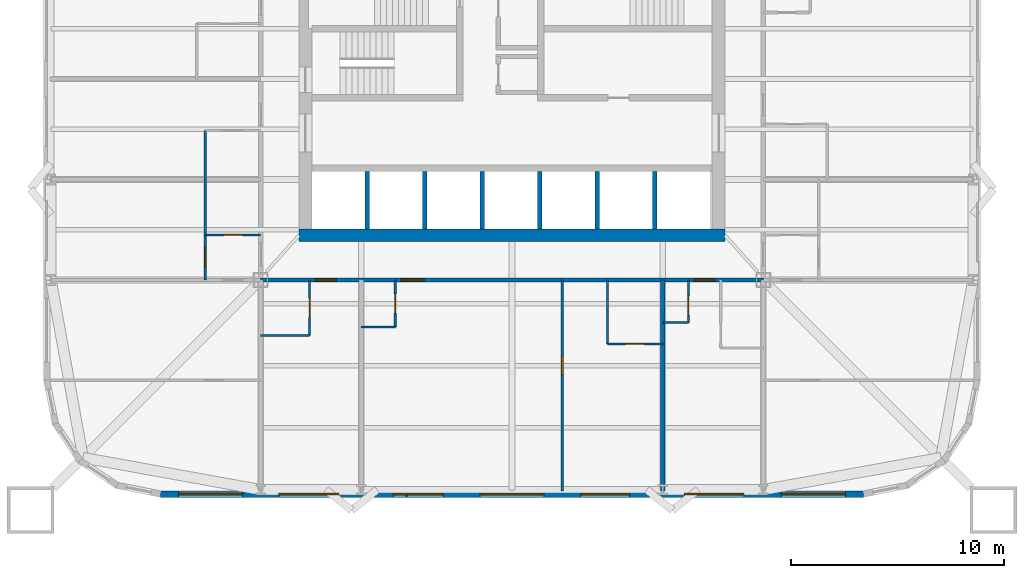
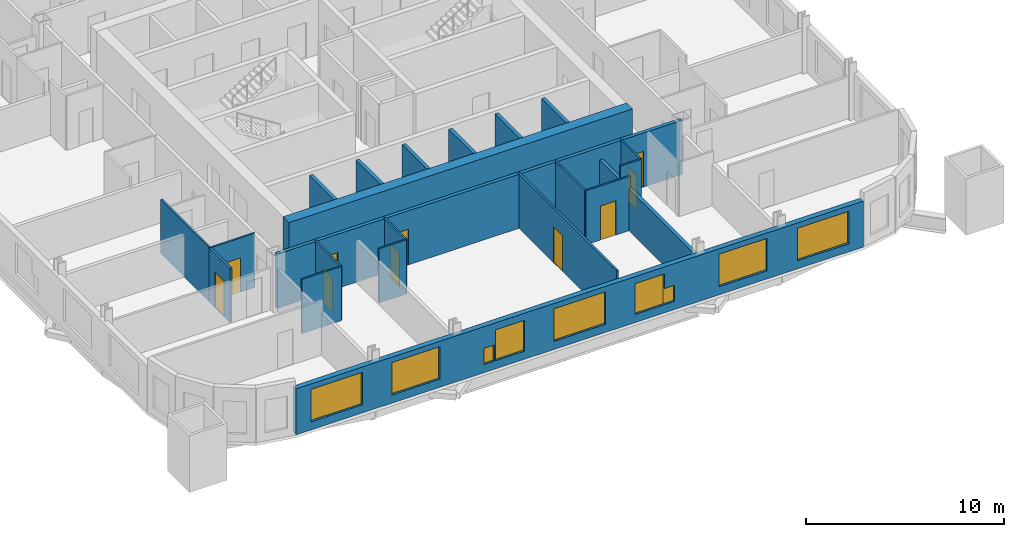
# One storey, part 3 of 10: 22 walls, 10 doors, 9 windows, 19 openings.
"""IFC4 building model written with IfcOpenShell, lengths in metres."""

from ifc_helpers import new_model, si_unit, direction, frame, frame_2d, origin, place, context, subcontext, project, spatial, rectangle, extrude, material, layer, layer_set, type_object, element, fill, save


model = new_model("IFC4")

# Units and contexts
model_context = context("Model", 3, precision=1e-05, world=origin(), true_north=direction((0.0, 1.0)))
body_context = subcontext(model_context, "Body", "Model", "MODEL_VIEW")
ifc_project = project(units=[si_unit("LENGTHUNIT", "METRE"), si_unit("AREAUNIT", "SQUARE_METRE"), si_unit("VOLUMEUNIT", "CUBIC_METRE"), si_unit("PLANEANGLEUNIT", "RADIAN"), si_unit("MASSUNIT", "GRAM", prefix="KILO")], contexts=[model_context])

# Site, building, storey
site_placement = place(None, origin())
site = spatial("IfcSite", under=ifc_project, at=site_placement, CompositionType="ELEMENT")
building_placement = place(site_placement, origin())
building = spatial("IfcBuilding", under=site, at=building_placement, Name="Turquesa Mirador Hotel Tower", CompositionType="ELEMENT")
storey_placement = place(building_placement, frame((0.0, 0.0, 46.0)))
storey = spatial("IfcBuildingStorey", under=building, at=storey_placement, Name="L11", CompositionType="ELEMENT", Elevation=46.0)

# Walls
ifc_material_1 = material(Name="Gypsum board on steel studs", Category="steel")
ifc_layer_1 = layer(ifc_material_1, 0.10009765625)
ifc_layer_set_1 = layer_set([ifc_layer_1], Name="BATHROOM WALL 100")
wall_type_1 = type_object("IfcWallType", Name="BATHROOM WALL 100", PredefinedType="PARTITIONING", material=ifc_layer_set_1)
wall_1_placement = place(storey_placement, frame((62.080078125, 31.199951171875, 0.0), z_axis=(0.0, 0.0, 1.0), x_axis=(1.0, 0.0, 0.0)))
element("IfcWall", 1, at=wall_1_placement, inside=storey, type_object=wall_type_1, Name="Partition L11 004", PredefinedType="PARTITIONING", context=body_context, shape_type="SweptSolid", body=[
    extrude(rectangle(XDim=1.199951171875, YDim=0.10009765625, at=frame_2d((0.60009765625, 0.0))), origin(), (0.0, 0.0, 1.0), 3.330078125),
])
wall_2_placement = place(storey_placement, frame((47.919921875, 31.0, 0.0), z_axis=(0.0, 0.0, 1.0), x_axis=(1.0, 0.0, 0.0)))
element("IfcWall", 2, at=wall_2_placement, inside=storey, type_object=wall_type_1, Name="Partition L11 005", PredefinedType="PARTITIONING", context=body_context, shape_type="SweptSolid", body=[
    extrude(rectangle(XDim=1.60009765625, YDim=0.10009765625, at=frame_2d((0.800048828125, 0.0))), origin(), (0.0, 0.0, 1.0), 3.330078125),
])
wall_3_placement = place(storey_placement, frame((43.199951171875, 30.60009765625, 0.0), z_axis=(0.0, 0.0, 1.0), x_axis=(1.0, 0.0, 0.0)))
element("IfcWall", 3, at=wall_3_placement, inside=storey, type_object=wall_type_1, Name="Partition L11 006", PredefinedType="PARTITIONING", context=body_context, shape_type="SweptSolid", body=[
    extrude(rectangle(XDim=2.300048828125, YDim=0.10009765625, at=frame_2d((1.14990234375, 0.0))), origin(), (0.0, 0.0, 1.0), 3.330078125),
])

# Wall, opening, door
wall_4_placement = place(storey_placement, frame((59.47998046875, 30.199951171875, 0.0), z_axis=(0.0, 0.0, 1.0), x_axis=(1.0, 0.0, 0.0)))
wall_4 = element("IfcWall", 4, at=wall_4_placement, inside=storey, type_object=wall_type_1, Name="Partition L11 007", PredefinedType="PARTITIONING", context=body_context, shape_type="SweptSolid", body=[
    extrude(rectangle(XDim=2.60009765625, YDim=0.10009765625, at=frame_2d((1.300048828125, 0.0))), origin(), (0.0, 0.0, 1.0), 3.330078125),
])
opening_1_placement = place(wall_4_placement, frame((0.85009765625, 0.0, 0.0)))
opening_1 = element("IfcOpeningElement", 5, at=opening_1_placement, cuts=wall_4, Name="Opening D02", PredefinedType="OPENING", context=body_context, shape_type="SweptSolid", body=[
    extrude(rectangle(XDim=0.89990234375, YDim=2.10009765625, at=frame_2d((0.449951171875, 1.050048828125))), frame((0.0, 0.06005859375, 0.0), z_axis=(0.0, -1.0, 0.0), x_axis=(1.0, 0.0, 0.0)), (0.0, 0.0, 1.0), 0.1201171875),
])
ifc_material_2 = material(Name="Timber veneered door", Category="wood")
door_type_1 = type_object("IfcDoorType", Name="DOOR 900X2100 EN-SUITE", OperationType="SINGLE_SWING_RIGHT", PredefinedType="DOOR", material=ifc_material_2)
door_1_placement = place(opening_1_placement, origin())
door_1 = element("IfcDoor", 6, at=door_1_placement, inside=storey, type_object=door_type_1, Name="Door 1104B", OperationType="SINGLE_SWING_RIGHT", OverallHeight=2.10009765625, OverallWidth=0.89990234375, PredefinedType="DOOR", context=body_context, shape_type="SweptSolid", body=[
    extrude(rectangle(XDim=0.89990234375, YDim=2.10009765625, at=frame_2d((0.449951171875, 1.050048828125))), frame((0.0, 0.02490234375, 0.0), z_axis=(0.0, -1.0, 0.0), x_axis=(1.0, 0.0, 0.0)), (0.0, 0.0, 1.0), 0.050048828125),
])
fill(opening_1, door_1)

wall_5_placement = place(storey_placement, frame((40.60009765625, 35.320068359375, 0.0), z_axis=(0.0, 0.0, 1.0), x_axis=(1.0, 0.0, 0.0)))
wall_5 = element("IfcWall", 7, at=wall_5_placement, inside=storey, type_object=wall_type_1, Name="Partition L11 016", PredefinedType="PARTITIONING", context=body_context, shape_type="SweptSolid", body=[
    extrude(rectangle(XDim=2.599853515625, YDim=0.10009765625, at=frame_2d((1.2998046875, 0.0))), origin(), (0.0, 0.0, 1.0), 3.330078125),
])
opening_2_placement = place(wall_5_placement, frame((0.85009765625, 0.0, 0.0)))
opening_2 = element("IfcOpeningElement", 8, at=opening_2_placement, cuts=wall_5, Name="Opening D02", PredefinedType="OPENING", context=body_context, shape_type="SweptSolid", body=[
    extrude(rectangle(XDim=0.89990234375, YDim=2.10009765625, at=frame_2d((0.449951171875, 1.050048828125))), frame((0.0, 0.06005859375, 0.0), z_axis=(0.0, -1.0, 0.0), x_axis=(1.0, 0.0, 0.0)), (0.0, 0.0, 1.0), 0.1201171875),
])
door_2_placement = place(opening_2_placement, origin())
door_2 = element("IfcDoor", 9, at=door_2_placement, inside=storey, type_object=door_type_1, Name="Door 1112B", OperationType="SINGLE_SWING_RIGHT", OverallHeight=2.10009765625, OverallWidth=0.89990234375, PredefinedType="DOOR", context=body_context, shape_type="SweptSolid", body=[
    extrude(rectangle(XDim=0.89990234375, YDim=2.10009765625, at=frame_2d((0.449951171875, 1.050048828125))), frame((0.0, 0.02490234375, 0.0), z_axis=(0.0, -1.0, 0.0), x_axis=(1.0, 0.0, 0.0)), (0.0, 0.0, 1.0), 0.050048828125),
])
fill(opening_2, door_2)

# Wall
wall_6_placement = place(storey_placement, frame((40.60009765625, 35.320068359375, 0.0), z_axis=(0.0, 0.0, 1.0), x_axis=(0.0, 1.0, 0.0)))
element("IfcWall", 10, at=wall_6_placement, inside=storey, type_object=wall_type_1, Name="Partition L11 041", PredefinedType="PARTITIONING", context=body_context, shape_type="SweptSolid", body=[
    extrude(rectangle(XDim=4.89990234375, YDim=0.10009765625, at=frame_2d((2.449951171875, 0.0))), origin(), (0.0, 0.0, 1.0), 3.330078125),
])

# Wall, opening, door
wall_7_placement = place(storey_placement, frame((49.52001953125, 31.0, 0.0), z_axis=(0.0, 0.0, 1.0), x_axis=(0.0, 1.0, 0.0)))
wall_7 = element("IfcWall", 11, at=wall_7_placement, inside=storey, type_object=wall_type_1, Name="Partition L11 048", PredefinedType="PARTITIONING", context=body_context, shape_type="SweptSolid", body=[
    extrude(rectangle(XDim=2.199951171875, YDim=0.10009765625, at=frame_2d((1.10009765625, 0.0))), origin(), (0.0, 0.0, 1.0), 3.330078125),
])
opening_3_placement = place(wall_7_placement, frame((0.64990234375, 0.0, 0.0)))
opening_3 = element("IfcOpeningElement", 12, at=opening_3_placement, cuts=wall_7, Name="Opening D06", PredefinedType="OPENING", context=body_context, shape_type="SweptSolid", body=[
    extrude(rectangle(XDim=0.89990234375, YDim=2.10009765625, at=frame_2d((0.449951171875, 1.050048828125))), frame((0.0, 0.06005859375, 0.0), z_axis=(0.0, -1.0, 0.0), x_axis=(1.0, 0.0, 0.0)), (0.0, 0.0, 1.0), 0.1201171875),
])
ifc_material_3 = material(Name="Laminate door", Category="wood")
door_type_2 = type_object("IfcDoorType", Name="DOOR 900X2100 WC", OperationType="SINGLE_SWING_LEFT", PredefinedType="DOOR", material=ifc_material_3)
door_3_placement = place(opening_3_placement, origin())
door_3 = element("IfcDoor", 13, at=door_3_placement, inside=storey, type_object=door_type_2, Name="Door 1104W", OperationType="SINGLE_SWING_LEFT", OverallHeight=2.10009765625, OverallWidth=0.89990234375, PredefinedType="DOOR", context=body_context, shape_type="SweptSolid", body=[
    extrude(rectangle(XDim=0.89990234375, YDim=2.10009765625, at=frame_2d((0.449951171875, 1.050048828125))), frame((0.0, 0.02490234375, 0.0), z_axis=(0.0, -1.0, 0.0), x_axis=(1.0, 0.0, 0.0)), (0.0, 0.0, 1.0), 0.050048828125),
])
fill(opening_3, door_3)

wall_8_placement = place(storey_placement, frame((45.5, 30.60009765625, 0.0), z_axis=(0.0, 0.0, 1.0), x_axis=(0.0, 1.0, 0.0)))
wall_8 = element("IfcWall", 14, at=wall_8_placement, inside=storey, type_object=wall_type_1, Name="Partition L11 051", PredefinedType="PARTITIONING", context=body_context, shape_type="SweptSolid", body=[
    extrude(rectangle(XDim=2.599853515625, YDim=0.10009765625, at=frame_2d((1.2998046875, 0.0))), origin(), (0.0, 0.0, 1.0), 3.330078125),
])
opening_4_placement = place(wall_8_placement, frame((0.85009765625, 0.0, 0.0)))
opening_4 = element("IfcOpeningElement", 15, at=opening_4_placement, cuts=wall_8, Name="Opening D02", PredefinedType="OPENING", context=body_context, shape_type="SweptSolid", body=[
    extrude(rectangle(XDim=0.89990234375, YDim=2.10009765625, at=frame_2d((0.449951171875, 1.050048828125))), frame((0.0, 0.06005859375, 0.0), z_axis=(0.0, -1.0, 0.0), x_axis=(1.0, 0.0, 0.0)), (0.0, 0.0, 1.0), 0.1201171875),
])
door_4_placement = place(opening_4_placement, origin())
door_4 = element("IfcDoor", 16, at=door_4_placement, inside=storey, type_object=door_type_1, Name="Door 1103B", OperationType="SINGLE_SWING_RIGHT", OverallHeight=2.10009765625, OverallWidth=0.89990234375, PredefinedType="DOOR", context=body_context, shape_type="SweptSolid", body=[
    extrude(rectangle(XDim=0.89990234375, YDim=2.10009765625, at=frame_2d((0.449951171875, 1.050048828125))), frame((0.0, 0.02490234375, 0.0), z_axis=(0.0, -1.0, 0.0), x_axis=(1.0, 0.0, 0.0)), (0.0, 0.0, 1.0), 0.050048828125),
])
fill(opening_4, door_4)

# Wall
wall_9_placement = place(storey_placement, frame((59.47998046875, 30.199951171875, 0.0), z_axis=(0.0, 0.0, 1.0), x_axis=(0.0, 1.0, 0.0)))
element("IfcWall", 17, at=wall_9_placement, inside=storey, type_object=wall_type_1, Name="Partition L11 063", PredefinedType="PARTITIONING", context=body_context, shape_type="SweptSolid", body=[
    extrude(rectangle(XDim=3.0, YDim=0.10009765625, at=frame_2d((1.5, 0.0))), origin(), (0.0, 0.0, 1.0), 3.330078125),
])

# Wall, opening, door
wall_10_placement = place(storey_placement, frame((63.280029296875, 31.199951171875, 0.0), z_axis=(0.0, 0.0, 1.0), x_axis=(0.0, 1.0, 0.0)))
wall_10 = element("IfcWall", 18, at=wall_10_placement, inside=storey, type_object=wall_type_1, Name="Partition L11 066", PredefinedType="PARTITIONING", context=body_context, shape_type="SweptSolid", body=[
    extrude(rectangle(XDim=2.0, YDim=0.10009765625, at=frame_2d((1.0, 0.0))), origin(), (0.0, 0.0, 1.0), 3.330078125),
])
opening_5_placement = place(wall_10_placement, frame((0.35009765625, 0.0, 0.0)))
opening_5 = element("IfcOpeningElement", 19, at=opening_5_placement, cuts=wall_10, Name="Opening D06", PredefinedType="OPENING", context=body_context, shape_type="SweptSolid", body=[
    extrude(rectangle(XDim=0.89990234375, YDim=2.10009765625, at=frame_2d((0.449951171875, 1.050048828125))), frame((0.0, 0.06005859375, 0.0), z_axis=(0.0, -1.0, 0.0), x_axis=(1.0, 0.0, 0.0)), (0.0, 0.0, 1.0), 0.1201171875),
])
door_5_placement = place(opening_5_placement, origin())
door_5 = element("IfcDoor", 20, at=door_5_placement, inside=storey, type_object=door_type_2, Name="Door 1105W", OperationType="SINGLE_SWING_LEFT", OverallHeight=2.10009765625, OverallWidth=0.89990234375, PredefinedType="DOOR", context=body_context, shape_type="SweptSolid", body=[
    extrude(rectangle(XDim=0.89990234375, YDim=2.10009765625, at=frame_2d((0.449951171875, 1.050048828125))), frame((0.0, 0.02490234375, 0.0), z_axis=(0.0, -1.0, 0.0), x_axis=(1.0, 0.0, 0.0)), (0.0, 0.0, 1.0), 0.050048828125),
])
fill(opening_5, door_5)

# Wall
ifc_material_4 = material(Name="Concrete C50/60", Category="concrete")
ifc_layer_2 = layer(ifc_material_4, 0.60009765625)
ifc_layer_set_2 = layer_set([ifc_layer_2], Name="CORE WALL 600")
wall_type_2 = type_object("IfcWallType", Name="CORE WALL 600", PredefinedType="SHEAR", material=ifc_layer_set_2)
wall_11_placement = place(storey_placement, frame((45.0, 35.300048828125, 0.0), z_axis=(0.0, 0.0, 1.0), x_axis=(1.0, 0.0, 0.0)))
element("IfcWall", 21, at=wall_11_placement, inside=storey, type_object=wall_type_2, Name="Core wall S", PredefinedType="SHEAR", context=body_context, shape_type="SweptSolid", body=[
    extrude(rectangle(XDim=20.0, YDim=0.60009765625, at=frame_2d((10.0, 0.0))), origin(), (0.0, 0.0, 1.0), 3.5),
])

# Wall, openings, doors
ifc_material_5 = material(Name="Fire-rated gypsum board on steel studs", Category="steel")
ifc_layer_3 = layer(ifc_material_5, 0.199951171875)
ifc_layer_set_3 = layer_set([ifc_layer_3], Name="CORRIDOR WALL 200")
wall_type_3 = type_object("IfcWallType", Name="CORRIDOR WALL 200", PredefinedType="PARTITIONING", material=ifc_layer_set_3)
wall_12_placement = place(storey_placement, frame((43.199951171875, 33.199951171875, 0.0), z_axis=(0.0, 0.0, 1.0), x_axis=(1.0, 0.0, 0.0)))
wall_12 = element("IfcWall", 22, at=wall_12_placement, inside=storey, type_object=wall_type_3, Name="Partition L11 001", PredefinedType="PARTITIONING", context=body_context, shape_type="SweptSolid", body=[
    extrude(rectangle(XDim=23.60009765625, YDim=0.199951171875, at=frame_2d((11.800048828125, 0.0))), origin(), (0.0, 0.0, 1.0), 3.330078125),
])
opening_6_placement = place(wall_12_placement, frame((2.550048828125, 0.0, 0.0)))
opening_6 = element("IfcOpeningElement", 23, at=opening_6_placement, cuts=wall_12, Name="Opening D01", PredefinedType="OPENING", context=body_context, shape_type="SweptSolid", body=[
    extrude(rectangle(XDim=1.0, YDim=2.199951171875, at=frame_2d((0.5, 1.10009765625))), frame((0.0, 0.10986328125, 0.0), z_axis=(0.0, -1.0, 0.0), x_axis=(1.0, 0.0, 0.0)), (0.0, 0.0, 1.0), 0.219970703125),
])
opening_7_placement = place(wall_12_placement, frame((6.570068359375, 0.0, 0.0)))
opening_7 = element("IfcOpeningElement", 24, at=opening_7_placement, cuts=wall_12, Name="Opening D15", PredefinedType="OPENING", context=body_context, shape_type="SweptSolid", body=[
    extrude(rectangle(XDim=1.10009765625, YDim=2.199951171875, at=frame_2d((0.550048828125, 1.10009765625))), frame((0.0, 0.10986328125, 0.0), z_axis=(0.0, -1.0, 0.0), x_axis=(1.0, 0.0, 0.0)), (0.0, 0.0, 1.0), 0.219970703125),
])
opening_8_placement = place(wall_12_placement, frame((20.340087890625, 0.0, 0.0)))
opening_8 = element("IfcOpeningElement", 25, at=opening_8_placement, cuts=wall_12, Name="Opening D01", PredefinedType="OPENING", context=body_context, shape_type="SweptSolid", body=[
    extrude(rectangle(XDim=1.0, YDim=2.199951171875, at=frame_2d((0.5, 1.10009765625))), frame((0.0, 0.10986328125, 0.0), z_axis=(0.0, -1.0, 0.0), x_axis=(1.0, 0.0, 0.0)), (0.0, 0.0, 1.0), 0.219970703125),
])
ifc_material_6 = material(Name="Timber veneered fire door", Category="wood")
door_type_3 = type_object("IfcDoorType", Name="DOOR 1000X2200 GUEST ENTRY", OperationType="SINGLE_SWING_LEFT", PredefinedType="DOOR", material=ifc_material_6)
door_6_placement = place(opening_6_placement, origin())
door_6 = element("IfcDoor", 26, at=door_6_placement, inside=storey, type_object=door_type_3, Name="Door 1103", OperationType="SINGLE_SWING_LEFT", OverallHeight=2.199951171875, OverallWidth=1.0, PredefinedType="DOOR", context=body_context, shape_type="SweptSolid", body=[
    extrude(rectangle(XDim=1.0, YDim=2.199951171875, at=frame_2d((0.5, 1.10009765625))), frame((0.0, 0.02490234375, 0.0), z_axis=(0.0, -1.0, 0.0), x_axis=(1.0, 0.0, 0.0)), (0.0, 0.0, 1.0), 0.050048828125),
])
fill(opening_6, door_6)
door_7_placement = place(opening_8_placement, origin())
door_7 = element("IfcDoor", 27, at=door_7_placement, inside=storey, type_object=door_type_3, Name="Door 1105", OperationType="SINGLE_SWING_LEFT", OverallHeight=2.199951171875, OverallWidth=1.0, PredefinedType="DOOR", context=body_context, shape_type="SweptSolid", body=[
    extrude(rectangle(XDim=1.0, YDim=2.199951171875, at=frame_2d((0.5, 1.10009765625))), frame((0.0, 0.02490234375, 0.0), z_axis=(0.0, -1.0, 0.0), x_axis=(1.0, 0.0, 0.0)), (0.0, 0.0, 1.0), 0.050048828125),
])
fill(opening_8, door_7)
ifc_material_7 = material(Name="Timber veneered fire door", Category="wood")
door_type_4 = type_object("IfcDoorType", Name="DOOR 1100X2200 SUITE ENTRY", OperationType="SINGLE_SWING_LEFT", PredefinedType="DOOR", material=ifc_material_7)
door_8_placement = place(opening_7_placement, origin())
door_8 = element("IfcDoor", 28, at=door_8_placement, inside=storey, type_object=door_type_4, Name="Door 1104", OperationType="SINGLE_SWING_LEFT", OverallHeight=2.199951171875, OverallWidth=1.10009765625, PredefinedType="DOOR", context=body_context, shape_type="SweptSolid", body=[
    extrude(rectangle(XDim=1.10009765625, YDim=2.199951171875, at=frame_2d((0.550048828125, 1.10009765625))), frame((0.0, 0.02490234375, 0.0), z_axis=(0.0, -1.0, 0.0), x_axis=(1.0, 0.0, 0.0)), (0.0, 0.0, 1.0), 0.050048828125),
])
fill(opening_7, door_8)

# Wall, openings, windows
ifc_material_8 = material(Name="Limestone cladding on concrete block", Category="masonry")
ifc_layer_4 = layer(ifc_material_8, 0.300048828125)
ifc_layer_set_4 = layer_set([ifc_layer_4], Name="FACADE WALL 300 STONE SCREEN")
wall_type_4 = type_object("IfcWallType", Name="FACADE WALL 300 STONE SCREEN", PredefinedType="SOLIDWALL", material=ifc_layer_set_4)
wall_13_placement = place(storey_placement, frame((38.5, 23.14990234375, 0.0), z_axis=(0.0, 0.0, 1.0), x_axis=(1.0, 0.0, 0.0)))
wall_13 = element("IfcWall", 29, at=wall_13_placement, inside=storey, type_object=wall_type_4, Name="Facade wall L11 19", PredefinedType="SOLIDWALL", context=body_context, shape_type="SweptSolid", body=[
    extrude(rectangle(XDim=33.0, YDim=0.300048828125, at=frame_2d((16.5, 0.0))), origin(), (0.0, 0.0, 1.0), 2.830078125),
])
opening_9_placement = place(wall_13_placement, frame((0.85009765625, 0.0, 0.5)))
opening_9 = element("IfcOpeningElement", 30, at=opening_9_placement, cuts=wall_13, Name="Opening WN1", PredefinedType="OPENING", context=body_context, shape_type="SweptSolid", body=[
    extrude(rectangle(XDim=3.0, YDim=2.0, at=frame_2d((1.5, 1.0))), frame((0.0, 0.159912109375, 0.0), z_axis=(0.0, -1.0, 0.0), x_axis=(1.0, 0.0, 0.0)), (0.0, 0.0, 1.0), 0.320068359375),
])
opening_10_placement = place(wall_13_placement, frame((5.56005859375, 0.0, 0.5)))
opening_10 = element("IfcOpeningElement", 31, at=opening_10_placement, cuts=wall_13, Name="Opening WN53", PredefinedType="OPENING", context=body_context, shape_type="SweptSolid", body=[
    extrude(rectangle(XDim=2.800048828125, YDim=2.0, at=frame_2d((1.39990234375, 1.0))), frame((0.0, 0.159912109375, 0.0), z_axis=(0.0, -1.0, 0.0), x_axis=(1.0, 0.0, 0.0)), (0.0, 0.0, 1.0), 0.320068359375),
])
opening_11_placement = place(wall_13_placement, frame((11.580078125, 0.0, 0.5)))
opening_11 = element("IfcOpeningElement", 32, at=opening_11_placement, cuts=wall_13, Name="Opening WN46", PredefinedType="OPENING", context=body_context, shape_type="SweptSolid", body=[
    extrude(rectangle(XDim=1.699951171875, YDim=1.89990234375, at=frame_2d((0.85009765625, 0.949951171875))), frame((0.0, 0.159912109375, 0.0), z_axis=(0.0, -1.0, 0.0), x_axis=(1.0, 0.0, 0.0)), (0.0, 0.0, 1.0), 0.320068359375),
])
opening_12_placement = place(wall_13_placement, frame((15.0, 0.0, 0.5)))
opening_12 = element("IfcOpeningElement", 33, at=opening_12_placement, cuts=wall_13, Name="Opening WN1", PredefinedType="OPENING", context=body_context, shape_type="SweptSolid", body=[
    extrude(rectangle(XDim=3.0, YDim=2.0, at=frame_2d((1.5, 1.0))), frame((0.0, 0.159912109375, 0.0), z_axis=(0.0, -1.0, 0.0), x_axis=(1.0, 0.0, 0.0)), (0.0, 0.0, 1.0), 0.320068359375),
])
opening_13_placement = place(wall_13_placement, frame((19.719970703125, 0.0, 0.5)))
opening_13 = element("IfcOpeningElement", 34, at=opening_13_placement, cuts=wall_13, Name="Opening WN46", PredefinedType="OPENING", context=body_context, shape_type="SweptSolid", body=[
    extrude(rectangle(XDim=1.699951171875, YDim=1.89990234375, at=frame_2d((0.85009765625, 0.949951171875))), frame((0.0, 0.159912109375, 0.0), z_axis=(0.0, -1.0, 0.0), x_axis=(1.0, 0.0, 0.0)), (0.0, 0.0, 1.0), 0.320068359375),
])
opening_14_placement = place(wall_13_placement, frame((24.590087890625, 0.0, 0.5)))
opening_14 = element("IfcOpeningElement", 35, at=opening_14_placement, cuts=wall_13, Name="Opening WN53", PredefinedType="OPENING", context=body_context, shape_type="SweptSolid", body=[
    extrude(rectangle(XDim=2.800048828125, YDim=2.0, at=frame_2d((1.39990234375, 1.0))), frame((0.0, 0.159912109375, 0.0), z_axis=(0.0, -1.0, 0.0), x_axis=(1.0, 0.0, 0.0)), (0.0, 0.0, 1.0), 0.320068359375),
])
opening_15_placement = place(wall_13_placement, frame((29.14990234375, 0.0, 0.5)))
opening_15 = element("IfcOpeningElement", 36, at=opening_15_placement, cuts=wall_13, Name="Opening WN1", PredefinedType="OPENING", context=body_context, shape_type="SweptSolid", body=[
    extrude(rectangle(XDim=3.0, YDim=2.0, at=frame_2d((1.5, 1.0))), frame((0.0, 0.159912109375, 0.0), z_axis=(0.0, -1.0, 0.0), x_axis=(1.0, 0.0, 0.0)), (0.0, 0.0, 1.0), 0.320068359375),
])
opening_16_placement = place(wall_13_placement, frame((10.929931640625, 0.0, 0.5)))
opening_16 = element("IfcOpeningElement", 37, at=opening_16_placement, cuts=wall_13, Name="Opening WN29", PredefinedType="OPENING", context=body_context, shape_type="SweptSolid", body=[
    extrude(rectangle(XDim=0.60009765625, YDim=1.0, at=frame_2d((0.300048828125, 0.5))), frame((0.0, 0.159912109375, 0.0), z_axis=(0.0, -1.0, 0.0), x_axis=(1.0, 0.0, 0.0)), (0.0, 0.0, 1.0), 0.320068359375),
])
opening_17_placement = place(wall_13_placement, frame((21.419921875, 0.0, 0.5)))
opening_17 = element("IfcOpeningElement", 38, at=opening_17_placement, cuts=wall_13, Name="Opening WN29", PredefinedType="OPENING", context=body_context, shape_type="SweptSolid", body=[
    extrude(rectangle(XDim=0.60009765625, YDim=1.0, at=frame_2d((0.300048828125, 0.5))), frame((0.0, 0.159912109375, 0.0), z_axis=(0.0, -1.0, 0.0), x_axis=(1.0, 0.0, 0.0)), (0.0, 0.0, 1.0), 0.320068359375),
])
ifc_material_9 = material(Name="Ceramic-fritted laminated glass", Category="glass")
window_type_1 = type_object("IfcWindowType", Name="FRITTED WINDOW 1700X1900", PartitioningType="DOUBLE_PANEL_HORIZONTAL", PredefinedType="WINDOW", material=ifc_material_9)
window_1_placement = place(opening_11_placement, origin())
window_1 = element("IfcWindow", 39, at=window_1_placement, inside=storey, type_object=window_type_1, Name="Window L11", OverallHeight=1.89990234375, OverallWidth=1.699951171875, PartitioningType="SINGLE_PANEL", PredefinedType="WINDOW", context=body_context, shape_type="SweptSolid", body=[
    extrude(rectangle(XDim=1.699951171875, YDim=1.89990234375, at=frame_2d((0.85009765625, 0.949951171875))), frame((0.0, 0.030029296875, 0.0), z_axis=(0.0, -1.0, 0.0), x_axis=(1.0, 0.0, 0.0)), (0.0, 0.0, 1.0), 0.06005859375),
])
fill(opening_11, window_1)
window_2_placement = place(opening_13_placement, origin())
window_2 = element("IfcWindow", 40, at=window_2_placement, inside=storey, type_object=window_type_1, Name="Window L11", OverallHeight=1.89990234375, OverallWidth=1.699951171875, PartitioningType="SINGLE_PANEL", PredefinedType="WINDOW", context=body_context, shape_type="SweptSolid", body=[
    extrude(rectangle(XDim=1.699951171875, YDim=1.89990234375, at=frame_2d((0.85009765625, 0.949951171875))), frame((0.0, 0.030029296875, 0.0), z_axis=(0.0, -1.0, 0.0), x_axis=(1.0, 0.0, 0.0)), (0.0, 0.0, 1.0), 0.06005859375),
])
fill(opening_13, window_2)
ifc_material_10 = material(Name="Ceramic-fritted laminated glass", Category="glass")
window_type_2 = type_object("IfcWindowType", Name="FRITTED WINDOW 2800X2000", PartitioningType="DOUBLE_PANEL_HORIZONTAL", PredefinedType="WINDOW", material=ifc_material_10)
window_3_placement = place(opening_10_placement, origin())
window_3 = element("IfcWindow", 41, at=window_3_placement, inside=storey, type_object=window_type_2, Name="Window L11", OverallHeight=2.0, OverallWidth=2.800048828125, PartitioningType="SINGLE_PANEL", PredefinedType="WINDOW", context=body_context, shape_type="SweptSolid", body=[
    extrude(rectangle(XDim=2.800048828125, YDim=2.0, at=frame_2d((1.39990234375, 1.0))), frame((0.0, 0.030029296875, 0.0), z_axis=(0.0, -1.0, 0.0), x_axis=(1.0, 0.0, 0.0)), (0.0, 0.0, 1.0), 0.06005859375),
])
fill(opening_10, window_3)
window_4_placement = place(opening_14_placement, origin())
window_4 = element("IfcWindow", 42, at=window_4_placement, inside=storey, type_object=window_type_2, Name="Window L11", OverallHeight=2.0, OverallWidth=2.800048828125, PartitioningType="SINGLE_PANEL", PredefinedType="WINDOW", context=body_context, shape_type="SweptSolid", body=[
    extrude(rectangle(XDim=2.800048828125, YDim=2.0, at=frame_2d((1.39990234375, 1.0))), frame((0.0, 0.030029296875, 0.0), z_axis=(0.0, -1.0, 0.0), x_axis=(1.0, 0.0, 0.0)), (0.0, 0.0, 1.0), 0.06005859375),
])
fill(opening_14, window_4)
ifc_material_11 = material(Name="Ceramic-fritted laminated glass", Category="glass")
window_type_3 = type_object("IfcWindowType", Name="FRITTED WINDOW 3000X2000", PartitioningType="DOUBLE_PANEL_HORIZONTAL", PredefinedType="WINDOW", material=ifc_material_11)
window_5_placement = place(opening_9_placement, origin())
window_5 = element("IfcWindow", 43, at=window_5_placement, inside=storey, type_object=window_type_3, Name="Window L11", OverallHeight=2.0, OverallWidth=3.0, PartitioningType="SINGLE_PANEL", PredefinedType="WINDOW", context=body_context, shape_type="SweptSolid", body=[
    extrude(rectangle(XDim=3.0, YDim=2.0, at=frame_2d((1.5, 1.0))), frame((0.0, 0.030029296875, 0.0), z_axis=(0.0, -1.0, 0.0), x_axis=(1.0, 0.0, 0.0)), (0.0, 0.0, 1.0), 0.06005859375),
])
fill(opening_9, window_5)
window_6_placement = place(opening_12_placement, origin())
window_6 = element("IfcWindow", 44, at=window_6_placement, inside=storey, type_object=window_type_3, Name="Window L11", OverallHeight=2.0, OverallWidth=3.0, PartitioningType="SINGLE_PANEL", PredefinedType="WINDOW", context=body_context, shape_type="SweptSolid", body=[
    extrude(rectangle(XDim=3.0, YDim=2.0, at=frame_2d((1.5, 1.0))), frame((0.0, 0.030029296875, 0.0), z_axis=(0.0, -1.0, 0.0), x_axis=(1.0, 0.0, 0.0)), (0.0, 0.0, 1.0), 0.06005859375),
])
fill(opening_12, window_6)
window_7_placement = place(opening_15_placement, origin())
window_7 = element("IfcWindow", 45, at=window_7_placement, inside=storey, type_object=window_type_3, Name="Window L11", OverallHeight=2.0, OverallWidth=3.0, PartitioningType="SINGLE_PANEL", PredefinedType="WINDOW", context=body_context, shape_type="SweptSolid", body=[
    extrude(rectangle(XDim=3.0, YDim=2.0, at=frame_2d((1.5, 1.0))), frame((0.0, 0.030029296875, 0.0), z_axis=(0.0, -1.0, 0.0), x_axis=(1.0, 0.0, 0.0)), (0.0, 0.0, 1.0), 0.06005859375),
])
fill(opening_15, window_7)
ifc_material_12 = material(Name="Ceramic-fritted laminated glass", Category="glass")
window_type_4 = type_object("IfcWindowType", Name="FRITTED WINDOW 600X1000", PartitioningType="DOUBLE_PANEL_HORIZONTAL", PredefinedType="WINDOW", material=ifc_material_12)
window_8_placement = place(opening_16_placement, origin())
window_8 = element("IfcWindow", 46, at=window_8_placement, inside=storey, type_object=window_type_4, Name="Window L11", OverallHeight=1.0, OverallWidth=0.60009765625, PartitioningType="SINGLE_PANEL", PredefinedType="WINDOW", context=body_context, shape_type="SweptSolid", body=[
    extrude(rectangle(XDim=0.60009765625, YDim=1.0, at=frame_2d((0.300048828125, 0.5))), frame((0.0, 0.030029296875, 0.0), z_axis=(0.0, -1.0, 0.0), x_axis=(1.0, 0.0, 0.0)), (0.0, 0.0, 1.0), 0.06005859375),
])
fill(opening_16, window_8)
window_9_placement = place(opening_17_placement, origin())
window_9 = element("IfcWindow", 47, at=window_9_placement, inside=storey, type_object=window_type_4, Name="Window L11", OverallHeight=1.0, OverallWidth=0.60009765625, PartitioningType="SINGLE_PANEL", PredefinedType="WINDOW", context=body_context, shape_type="SweptSolid", body=[
    extrude(rectangle(XDim=0.60009765625, YDim=1.0, at=frame_2d((0.300048828125, 0.5))), frame((0.0, 0.030029296875, 0.0), z_axis=(0.0, -1.0, 0.0), x_axis=(1.0, 0.0, 0.0)), (0.0, 0.0, 1.0), 0.06005859375),
])
fill(opening_17, window_9)

# Walls
ifc_material_13 = material(Name="Fire-rated gypsum shaft wall on steel studs", Category="steel")
ifc_layer_5 = layer(ifc_material_13, 0.199951171875)
ifc_layer_set_5 = layer_set([ifc_layer_5], Name="LIFT SHAFT DIVIDER 200")
wall_type_5 = type_object("IfcWallType", Name="LIFT SHAFT DIVIDER 200", PredefinedType="PARTITIONING", material=ifc_layer_set_5)
for number, where, z_axis, x_axis, name in (
    (48, (48.199951171875, 35.60009765625, 0.0), (0.0, 0.0, 1.0), (0.0, 1.0, 0.0), "Lift shaft divider"),
    (49, (50.89990234375, 35.60009765625, 0.0), (0.0, 0.0, 1.0), (0.0, 1.0, 0.0), "Lift shaft divider"),
    (50, (53.60009765625, 35.60009765625, 0.0), (0.0, 0.0, 1.0), (0.0, 1.0, 0.0), "Lift shaft divider"),
    (51, (56.300048828125, 35.60009765625, 0.0), (0.0, 0.0, 1.0), (0.0, 1.0, 0.0), "Lift shaft divider"),
    (52, (59.0, 35.60009765625, 0.0), (0.0, 0.0, 1.0), (0.0, 1.0, 0.0), "Lift shaft divider"),
    (53, (61.699951171875, 35.60009765625, 0.0), (0.0, 0.0, 1.0), (0.0, 1.0, 0.0), "Lift shaft divider"),
):
    element("IfcWall", number, at=place(storey_placement, frame(where, z_axis=z_axis, x_axis=x_axis)), inside=storey, type_object=wall_type_5, Name=name, PredefinedType="PARTITIONING", context=body_context, shape_type="SweptSolid", body=[
        extrude(rectangle(XDim=2.699951171875, YDim=0.199951171875, at=frame_2d((1.35009765625, 0.0))), origin(), (0.0, 0.0, 1.0), 3.330078125),
    ])
ifc_material_14 = material(Name="Fire-rated gypsum board on steel studs", Category="steel")
ifc_layer_6 = layer(ifc_material_14, 0.199951171875)
ifc_layer_set_6 = layer_set([ifc_layer_6], Name="PARTY WALL 200")
wall_type_6 = type_object("IfcWallType", Name="PARTY WALL 200", PredefinedType="PARTITIONING", material=ifc_layer_set_6)
wall_14_placement = place(storey_placement, frame((62.080078125, 23.300048828125, 0.0), z_axis=(0.0, 0.0, 1.0), x_axis=(0.0, 1.0, 0.0)))
element("IfcWall", 54, at=wall_14_placement, inside=storey, type_object=wall_type_6, Name="Partition L11 064", PredefinedType="PARTITIONING", context=body_context, shape_type="SweptSolid", body=[
    extrude(rectangle(XDim=9.89990234375, YDim=0.199951171875, at=frame_2d((4.949951171875, 0.0))), origin(), (0.0, 0.0, 1.0), 2.572998046875),
])

# Wall, opening, door
ifc_material_15 = material(Name="Acoustic gypsum board on steel studs", Category="steel")
ifc_layer_7 = layer(ifc_material_15, 0.125)
ifc_layer_set_7 = layer_set([ifc_layer_7], Name="SUITE PARTITION 125")
wall_type_7 = type_object("IfcWallType", Name="SUITE PARTITION 125", PredefinedType="PARTITIONING", material=ifc_layer_set_7)
wall_15_placement = place(storey_placement, frame((40.60009765625, 33.199951171875, 0.0), z_axis=(0.0, 0.0, 1.0), x_axis=(0.0, 1.0, 0.0)))
wall_15 = element("IfcWall", 55, at=wall_15_placement, inside=storey, type_object=wall_type_7, Name="Partition L11 043", PredefinedType="PARTITIONING", context=body_context, shape_type="SweptSolid", body=[
    extrude(rectangle(XDim=2.1201171875, YDim=0.125, at=frame_2d((1.06005859375, 0.0))), origin(), (0.0, 0.0, 1.0), 3.330078125),
])
opening_18_placement = place(wall_15_placement, frame((0.610107421875, 0.0, 0.0)))
opening_18 = element("IfcOpeningElement", 56, at=opening_18_placement, cuts=wall_15, Name="Opening D17", PredefinedType="OPENING", context=body_context, shape_type="SweptSolid", body=[
    extrude(rectangle(XDim=0.89990234375, YDim=2.199951171875, at=frame_2d((0.449951171875, 1.10009765625))), frame((0.0, 0.072509765625, 0.0), z_axis=(0.0, -1.0, 0.0), x_axis=(1.0, 0.0, 0.0)), (0.0, 0.0, 1.0), 0.14501953125),
])
ifc_material_16 = material(Name="Timber veneered door", Category="wood")
door_type_5 = type_object("IfcDoorType", Name="DOOR 900X2200 SUITE INTERNAL", OperationType="SINGLE_SWING_LEFT", PredefinedType="DOOR", material=ifc_material_16)
door_9_placement = place(opening_18_placement, origin())
door_9 = element("IfcDoor", 57, at=door_9_placement, inside=storey, type_object=door_type_5, Name="Door 1112R", OperationType="SINGLE_SWING_LEFT", OverallHeight=2.199951171875, OverallWidth=0.89990234375, PredefinedType="DOOR", context=body_context, shape_type="SweptSolid", body=[
    extrude(rectangle(XDim=0.89990234375, YDim=2.199951171875, at=frame_2d((0.449951171875, 1.10009765625))), frame((0.0, 0.02490234375, 0.0), z_axis=(0.0, -1.0, 0.0), x_axis=(1.0, 0.0, 0.0)), (0.0, 0.0, 1.0), 0.050048828125),
])
fill(opening_18, door_9)

wall_16_placement = place(storey_placement, frame((57.360107421875, 23.300048828125, 0.0), z_axis=(0.0, 0.0, 1.0), x_axis=(0.0, 1.0, 0.0)))
wall_16 = element("IfcWall", 58, at=wall_16_placement, inside=storey, type_object=wall_type_7, Name="Partition L11 062", PredefinedType="PARTITIONING", context=body_context, shape_type="SweptSolid", body=[
    extrude(rectangle(XDim=9.89990234375, YDim=0.125, at=frame_2d((4.949951171875, 0.0))), origin(), (0.0, 0.0, 1.0), 3.330078125),
])
opening_19_placement = place(wall_16_placement, frame((5.449951171875, 0.0, 0.0)))
opening_19 = element("IfcOpeningElement", 59, at=opening_19_placement, cuts=wall_16, Name="Opening D17", PredefinedType="OPENING", context=body_context, shape_type="SweptSolid", body=[
    extrude(rectangle(XDim=0.89990234375, YDim=2.199951171875, at=frame_2d((0.449951171875, 1.10009765625))), frame((0.0, 0.072509765625, 0.0), z_axis=(0.0, -1.0, 0.0), x_axis=(1.0, 0.0, 0.0)), (0.0, 0.0, 1.0), 0.14501953125),
])
door_10_placement = place(opening_19_placement, origin())
door_10 = element("IfcDoor", 60, at=door_10_placement, inside=storey, type_object=door_type_5, Name="Door 1104R", OperationType="SINGLE_SWING_LEFT", OverallHeight=2.199951171875, OverallWidth=0.89990234375, PredefinedType="DOOR", context=body_context, shape_type="SweptSolid", body=[
    extrude(rectangle(XDim=0.89990234375, YDim=2.199951171875, at=frame_2d((0.449951171875, 1.10009765625))), frame((0.0, 0.02490234375, 0.0), z_axis=(0.0, -1.0, 0.0), x_axis=(1.0, 0.0, 0.0)), (0.0, 0.0, 1.0), 0.050048828125),
])
fill(opening_19, door_10)

save(model, "model.ifc")
